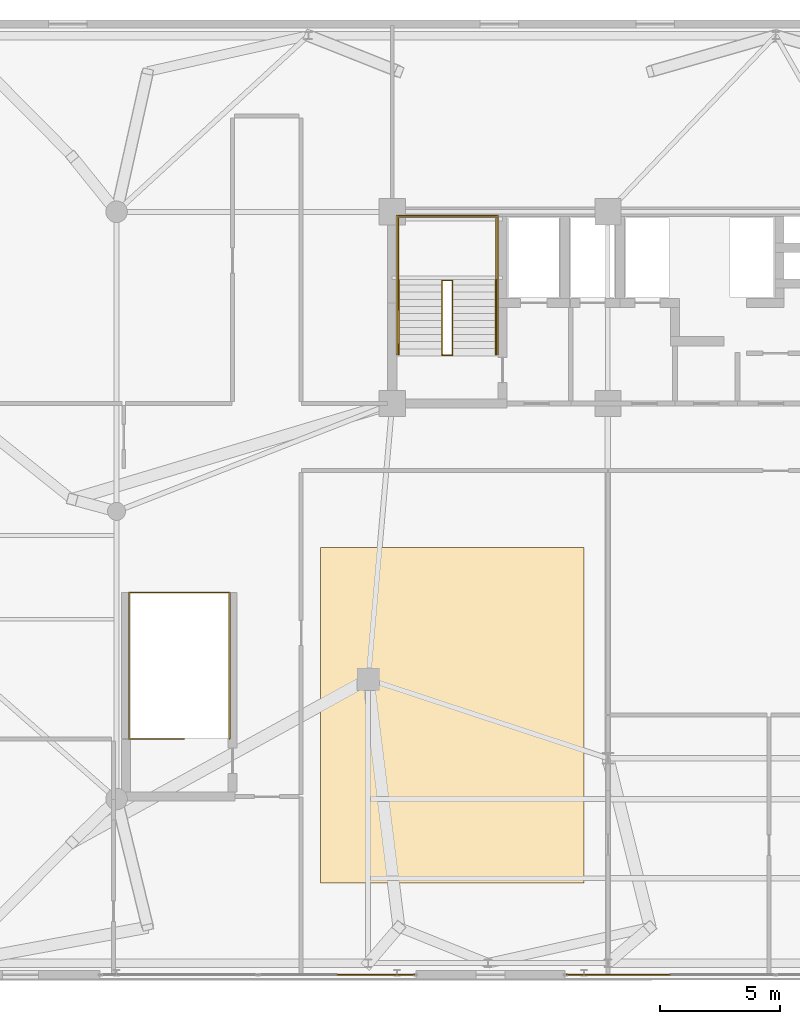
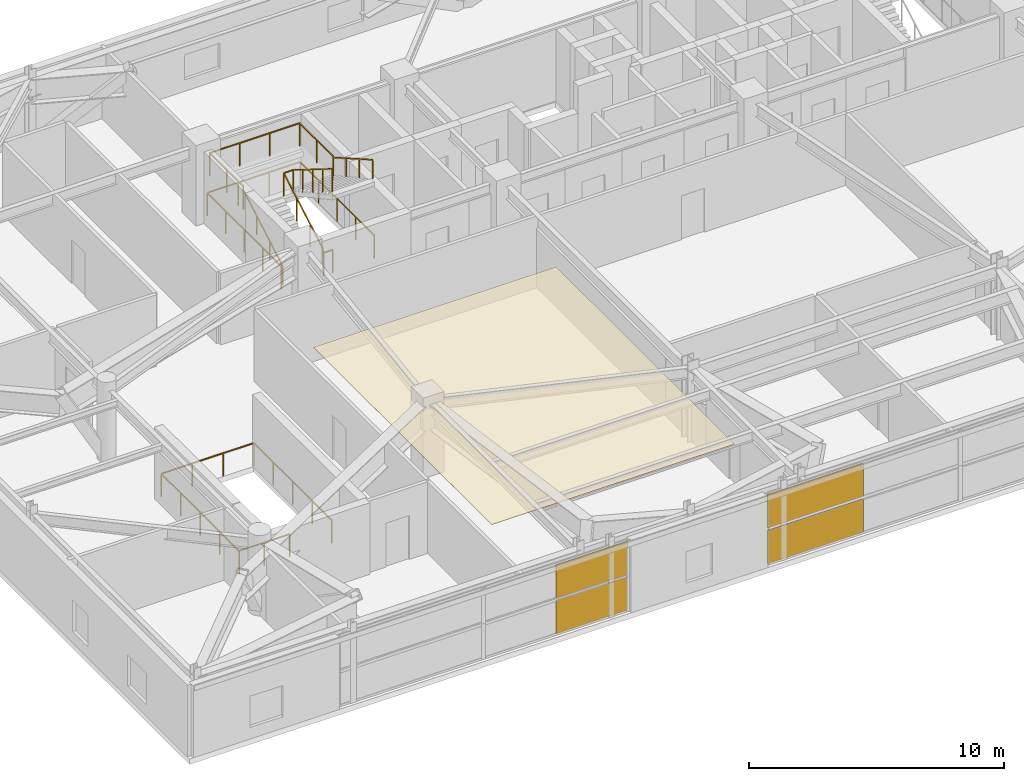
# One storey, part 25 of 27: 7 railings, 5 coverings.
"""IFC4 building model written with IfcOpenShell, lengths in metres."""

from ifc_helpers import new_model, si_unit, direction, frame, origin, origin_2d, place, context, subcontext, project, spatial, rectangle, extrude, source, transform, mapped, material, layer, layer_set, type_object, element, save


model = new_model("IFC4")

# Units and contexts
model_context = context("Model", 3, precision=1e-05, world=origin(), true_north=direction((0.0, 1.0)))
body_context = subcontext(model_context, "Body", "Model", "MODEL_VIEW")
ifc_project = project(units=[si_unit("LENGTHUNIT", "METRE"), si_unit("AREAUNIT", "SQUARE_METRE"), si_unit("VOLUMEUNIT", "CUBIC_METRE"), si_unit("PLANEANGLEUNIT", "RADIAN"), si_unit("MASSUNIT", "GRAM", prefix="KILO")], contexts=[model_context])

# Site, building, storey
site_placement = place(None, origin())
site = spatial("IfcSite", under=ifc_project, at=site_placement, CompositionType="ELEMENT")
building_placement = place(site_placement, origin())
building = spatial("IfcBuilding", under=site, at=building_placement, Name="Taldren Reach Tower", CompositionType="ELEMENT")
storey_placement = place(building_placement, frame((0.0, 0.0, 12.949951171875)))
storey = spatial("IfcBuildingStorey", under=building, at=storey_placement, Name="L03", CompositionType="ELEMENT", Elevation=12.949951171875)

# Railings
ifc_material_1 = material(Name="Steel Gr 350 (C350L0)", Category="steel")
ifc_layer_1 = layer(ifc_material_1, 0.050048828125)
ifc_layer_set_1 = layer_set([ifc_layer_1], Name="Steel Gr 350 (C350L0)")
railing_type_1 = type_object("IfcRailingType", Name="RL-STAIR-GR", PredefinedType="GUARDRAIL", material=ifc_layer_set_1)
railing_1_placement = place(storey_placement, frame((19.260009765625, 29.135009765625, 1.925048828125)))
element("IfcRailing", 1, at=railing_1_placement, inside=storey, type_object=railing_type_1, Name="Stair half-landing perimeter guard ST1-L03", PredefinedType="GUARDRAIL", context=body_context, shape_type="SweptSolid", body=[
    extrude(rectangle(XDim=0.047852, YDim=0.047852, at=origin_2d()), frame((0.0, 0.0, 1.09619140625), z_axis=(0.0, 1.0, 0.0), x_axis=(-1.0, 0.0, 0.0)), (0.0, 0.0, 1.0), 2.64501953125),
    extrude(rectangle(XDim=0.047852, YDim=0.047852, at=origin_2d()), frame((0.0, 2.64501953125, 1.09619140625), z_axis=(1.0, 0.0, 0.0), x_axis=(0.0, 1.0, 0.0)), (0.0, 0.0, 1.0), 4.080078125),
    extrude(rectangle(XDim=0.047852, YDim=0.047852, at=origin_2d()), frame((4.080078125, 2.64501953125, 1.09619140625), z_axis=(0.0, -1.0, 0.0), x_axis=(1.0, 0.0, 0.0)), (0.0, 0.0, 1.0), 2.64501953125),
    extrude(rectangle(XDim=0.041992, YDim=0.041992, at=origin_2d()), origin(), (0.0, 0.0, 1.0), 1.072021484375),
    extrude(rectangle(XDim=0.041992, YDim=0.041992, at=origin_2d()), frame((0.0, 1.322509765625, 0.0)), (0.0, 0.0, 1.0), 1.072021484375),
    extrude(rectangle(XDim=0.041992, YDim=0.041992, at=origin_2d()), frame((0.0, 2.64501953125, 0.0)), (0.0, 0.0, 1.0), 1.072021484375),
    extrude(rectangle(XDim=0.041992, YDim=0.041992, at=origin_2d()), frame((1.360107421875, 2.64501953125, 0.0)), (0.0, 0.0, 1.0), 1.072021484375),
    extrude(rectangle(XDim=0.041992, YDim=0.041992, at=origin_2d()), frame((2.719970703125, 2.64501953125, 0.0)), (0.0, 0.0, 1.0), 1.072021484375),
    extrude(rectangle(XDim=0.041992, YDim=0.041992, at=origin_2d()), frame((4.080078125, 2.64501953125, 0.0)), (0.0, 0.0, 1.0), 1.072021484375),
    extrude(rectangle(XDim=0.041992, YDim=0.041992, at=origin_2d()), frame((4.080078125, 1.322509765625, 0.0)), (0.0, 0.0, 1.0), 1.072021484375),
    extrude(rectangle(XDim=0.041992, YDim=0.041992, at=origin_2d()), frame((4.080078125, 0.0, 0.0)), (0.0, 0.0, 1.0), 1.072021484375),
])
railing_2_placement = place(storey_placement, frame((21.090087890625, 26.050048828125, 0.160400390625)))
element("IfcRailing", 2, at=railing_2_placement, inside=storey, type_object=railing_type_1, Name="Stairwell inner guard ST1-L03", PredefinedType="GUARDRAIL", context=body_context, shape_type="SweptSolid", body=[
    extrude(rectangle(XDim=0.047852, YDim=0.047852, at=origin_2d()), frame((0.0, 0.0, 1.09619140625), z_axis=(0.0, 0.868023234622, 0.496523578652), x_axis=(-1.0, 0.0, 0.0)), (0.0, 0.0, 1.0), 3.553955078125),
    extrude(rectangle(XDim=0.047852, YDim=0.047852, at=origin_2d()), frame((0.0, 3.0849609375, 2.86083984375), z_axis=(1.0, 0.0, 0.0), x_axis=(0.0, 1.0, 0.0)), (0.0, 0.0, 1.0), 0.419921875),
    extrude(rectangle(XDim=0.047852, YDim=0.047852, at=origin_2d()), frame((0.419921875, 3.0849609375, 2.86083984375), z_axis=(0.0, -0.848375277705, 0.529395304266), x_axis=(1.0, 0.0, 0.0)), (0.0, 0.0, 1.0), 3.63623046875),
    extrude(rectangle(XDim=0.041992, YDim=0.041992, at=origin_2d()), origin(), (0.0, 0.0, 1.0), 1.072021484375),
    extrude(rectangle(XDim=0.041992, YDim=0.041992, at=origin_2d()), frame((0.0, 1.0283203125, 0.588134765625)), (0.0, 0.0, 1.0), 1.072021484375),
    extrude(rectangle(XDim=0.041992, YDim=0.041992, at=origin_2d()), frame((0.0, 2.056640625, 1.176513671875)), (0.0, 0.0, 1.0), 1.072021484375),
    extrude(rectangle(XDim=0.041992, YDim=0.041992, at=origin_2d()), frame((0.0, 3.0849609375, 1.7646484375)), (0.0, 0.0, 1.0), 1.072021484375),
    extrude(rectangle(XDim=0.041992, YDim=0.041992, at=origin_2d()), frame((0.419921875, 3.0849609375, 1.7646484375)), (0.0, 0.0, 1.0), 1.072021484375),
    extrude(rectangle(XDim=0.041992, YDim=0.041992, at=origin_2d()), frame((0.419921875, 2.313720703125, 2.245849609375)), (0.0, 0.0, 1.0), 1.072021484375),
    extrude(rectangle(XDim=0.041992, YDim=0.041992, at=origin_2d()), frame((0.419921875, 1.54248046875, 2.72705078125)), (0.0, 0.0, 1.0), 1.072021484375),
    extrude(rectangle(XDim=0.041992, YDim=0.041992, at=origin_2d()), frame((0.419921875, 0.771240234375, 3.20849609375)), (0.0, 0.0, 1.0), 1.072021484375),
    extrude(rectangle(XDim=0.041992, YDim=0.041992, at=origin_2d()), frame((0.419921875, 0.0, 3.689697265625)), (0.0, 0.0, 1.0), 1.072021484375),
])
railing_3_placement = place(storey_placement, frame((21.090087890625, 26.010009765625, 0.0)))
element("IfcRailing", 3, at=railing_3_placement, inside=storey, type_object=railing_type_1, Name="Stairwell landing slot guard ST1-L03", PredefinedType="GUARDRAIL", context=body_context, shape_type="SweptSolid", body=[
    extrude(rectangle(XDim=0.047852, YDim=0.047852, at=origin_2d()), frame((0.0, 0.0, 1.09619140625), z_axis=(1.0, 0.0, 0.0), x_axis=(0.0, 1.0, 0.0)), (0.0, 0.0, 1.0), 0.419921875),
    extrude(rectangle(XDim=0.041992, YDim=0.041992, at=origin_2d()), origin(), (0.0, 0.0, 1.0), 1.072021484375),
    extrude(rectangle(XDim=0.041992, YDim=0.041992, at=origin_2d()), frame((0.419921875, 0.0, 0.0)), (0.0, 0.0, 1.0), 1.072021484375),
])
railing_4_placement = place(storey_placement, frame((19.18994140625, 26.050048828125, 0.0)))
element("IfcRailing", 4, at=railing_4_placement, inside=storey, type_object=railing_type_1, Name="Stairwell floor opening guard ST1-L03", PredefinedType="GUARDRAIL", context=body_context, shape_type="SweptSolid", body=[
    extrude(rectangle(XDim=0.047852, YDim=0.047852, at=origin_2d()), frame((0.0, 0.0, 1.09619140625), z_axis=(0.0, 1.0, 0.0), x_axis=(-1.0, 0.0, 0.0)), (0.0, 0.0, 1.0), 5.800048828125),
    extrude(rectangle(XDim=0.047852, YDim=0.047852, at=origin_2d()), frame((0.0, 5.800048828125, 1.09619140625), z_axis=(1.0, 0.0, 0.0), x_axis=(0.0, 1.0, 0.0)), (0.0, 0.0, 1.0), 4.219970703125),
    extrude(rectangle(XDim=0.047852, YDim=0.047852, at=origin_2d()), frame((4.219970703125, 5.800048828125, 1.09619140625), z_axis=(0.0, -1.0, 0.0), x_axis=(1.0, 0.0, 0.0)), (0.0, 0.0, 1.0), 5.800048828125),
    extrude(rectangle(XDim=0.041992, YDim=0.041992, at=origin_2d()), origin(), (0.0, 0.0, 1.0), 1.072021484375),
    extrude(rectangle(XDim=0.041992, YDim=0.041992, at=origin_2d()), frame((0.0, 1.449951171875, 0.0)), (0.0, 0.0, 1.0), 1.072021484375),
    extrude(rectangle(XDim=0.041992, YDim=0.041992, at=origin_2d()), frame((0.0, 2.89990234375, 0.0)), (0.0, 0.0, 1.0), 1.072021484375),
    extrude(rectangle(XDim=0.041992, YDim=0.041992, at=origin_2d()), frame((0.0, 4.35009765625, 0.0)), (0.0, 0.0, 1.0), 1.072021484375),
    extrude(rectangle(XDim=0.041992, YDim=0.041992, at=origin_2d()), frame((0.0, 5.800048828125, 0.0)), (0.0, 0.0, 1.0), 1.072021484375),
    extrude(rectangle(XDim=0.041992, YDim=0.041992, at=origin_2d()), frame((1.40673828125, 5.800048828125, 0.0)), (0.0, 0.0, 1.0), 1.072021484375),
    extrude(rectangle(XDim=0.041992, YDim=0.041992, at=origin_2d()), frame((2.813232421875, 5.800048828125, 0.0)), (0.0, 0.0, 1.0), 1.072021484375),
    extrude(rectangle(XDim=0.041992, YDim=0.041992, at=origin_2d()), frame((4.219970703125, 5.800048828125, 0.0)), (0.0, 0.0, 1.0), 1.072021484375),
    extrude(rectangle(XDim=0.041992, YDim=0.041992, at=origin_2d()), frame((4.219970703125, 4.35009765625, 0.0)), (0.0, 0.0, 1.0), 1.072021484375),
    extrude(rectangle(XDim=0.041992, YDim=0.041992, at=origin_2d()), frame((4.219970703125, 2.89990234375, 0.0)), (0.0, 0.0, 1.0), 1.072021484375),
    extrude(rectangle(XDim=0.041992, YDim=0.041992, at=origin_2d()), frame((4.219970703125, 1.449951171875, 0.0)), (0.0, 0.0, 1.0), 1.072021484375),
    extrude(rectangle(XDim=0.041992, YDim=0.041992, at=origin_2d()), frame((4.219970703125, 0.0, 0.0)), (0.0, 0.0, 1.0), 1.072021484375),
])
railing_5_placement = place(storey_placement, frame((10.320068359375, 10.010009765625, 0.0)))
element("IfcRailing", 5, at=railing_5_placement, inside=storey, type_object=railing_type_1, Name="Top-landing stairwell perimeter guardrail ST3-L03", PredefinedType="GUARDRAIL", context=body_context, shape_type="SweptSolid", body=[
    extrude(rectangle(XDim=0.047852, YDim=0.047852, at=origin_2d()), frame((0.0, 0.0, 1.09619140625), z_axis=(-1.0, 0.0, 0.0), x_axis=(0.0, -1.0, 0.0)), (0.0, 0.0, 1.0), 2.300048828125),
    extrude(rectangle(XDim=0.047852, YDim=0.047852, at=origin_2d()), frame((-2.300048828125, 0.0, 1.09619140625), z_axis=(0.0, 1.0, 0.0), x_axis=(-1.0, 0.0, 0.0)), (0.0, 0.0, 1.0), 6.10009765625),
    extrude(rectangle(XDim=0.047852, YDim=0.047852, at=origin_2d()), frame((-2.300048828125, 6.10009765625, 1.09619140625), z_axis=(1.0, 0.0, 0.0), x_axis=(0.0, 1.0, 0.0)), (0.0, 0.0, 1.0), 4.199951171875),
    extrude(rectangle(XDim=0.047852, YDim=0.047852, at=origin_2d()), frame((1.89990234375, 6.10009765625, 1.09619140625), z_axis=(0.0, -1.0, 0.0), x_axis=(1.0, 0.0, 0.0)), (0.0, 0.0, 1.0), 6.10009765625),
    extrude(rectangle(XDim=0.041992, YDim=0.041992, at=origin_2d()), origin(), (0.0, 0.0, 1.0), 1.072021484375),
    extrude(rectangle(XDim=0.041992, YDim=0.041992, at=origin_2d()), frame((-1.14990234375, 0.0, 0.0)), (0.0, 0.0, 1.0), 1.072021484375),
    extrude(rectangle(XDim=0.041992, YDim=0.041992, at=origin_2d()), frame((-2.300048828125, 0.0, 0.0)), (0.0, 0.0, 1.0), 1.072021484375),
    extrude(rectangle(XDim=0.041992, YDim=0.041992, at=origin_2d()), frame((-2.300048828125, 1.52490234375, 0.0)), (0.0, 0.0, 1.0), 1.072021484375),
    extrude(rectangle(XDim=0.041992, YDim=0.041992, at=origin_2d()), frame((-2.300048828125, 3.050048828125, 0.0)), (0.0, 0.0, 1.0), 1.072021484375),
    extrude(rectangle(XDim=0.041992, YDim=0.041992, at=origin_2d()), frame((-2.300048828125, 4.5751953125, 0.0)), (0.0, 0.0, 1.0), 1.072021484375),
    extrude(rectangle(XDim=0.041992, YDim=0.041992, at=origin_2d()), frame((-2.300048828125, 6.10009765625, 0.0)), (0.0, 0.0, 1.0), 1.072021484375),
    extrude(rectangle(XDim=0.041992, YDim=0.041992, at=origin_2d()), frame((-0.900146484375, 6.10009765625, 0.0)), (0.0, 0.0, 1.0), 1.072021484375),
    extrude(rectangle(XDim=0.041992, YDim=0.041992, at=origin_2d()), frame((0.5, 6.10009765625, 0.0)), (0.0, 0.0, 1.0), 1.072021484375),
    extrude(rectangle(XDim=0.041992, YDim=0.041992, at=origin_2d()), frame((1.89990234375, 6.10009765625, 0.0)), (0.0, 0.0, 1.0), 1.072021484375),
    extrude(rectangle(XDim=0.041992, YDim=0.041992, at=origin_2d()), frame((1.89990234375, 4.5751953125, 0.0)), (0.0, 0.0, 1.0), 1.072021484375),
    extrude(rectangle(XDim=0.041992, YDim=0.041992, at=origin_2d()), frame((1.89990234375, 3.050048828125, 0.0)), (0.0, 0.0, 1.0), 1.072021484375),
    extrude(rectangle(XDim=0.041992, YDim=0.041992, at=origin_2d()), frame((1.89990234375, 1.52490234375, 0.0)), (0.0, 0.0, 1.0), 1.072021484375),
    extrude(rectangle(XDim=0.041992, YDim=0.041992, at=origin_2d()), frame((1.89990234375, 0.0, 0.0)), (0.0, 0.0, 1.0), 1.072021484375),
])
ifc_material_2 = material(Name="Stainless Steel Gr 316", Category="steel")
ifc_layer_2 = layer(ifc_material_2, 0.048095703125)
ifc_layer_set_2 = layer_set([ifc_layer_2], Name="Stainless Steel Gr 316")
railing_type_2 = type_object("IfcRailingType", Name="RL-STAIR-HR", PredefinedType="HANDRAIL", material=ifc_layer_set_2)
railing_6_placement = place(storey_placement, frame((19.27001953125, 26.050048828125, 0.160400390625)))
element("IfcRailing", 6, at=railing_6_placement, inside=storey, type_object=railing_type_2, Name="Stair flight handrail ST1-L03-1", PredefinedType="HANDRAIL", context=body_context, shape_type="SweptSolid", body=[
    extrude(rectangle(XDim=0.047852, YDim=0.047852, at=origin_2d()), frame((0.0, 0.0, 0.89599609375), z_axis=(0.0, 0.868023234622, 0.496523578652), x_axis=(-1.0, 0.0, 0.0)), (0.0, 0.0, 1.0), 3.553955078125),
    extrude(rectangle(XDim=0.041992, YDim=0.041992, at=origin_2d()), origin(), (0.0, 0.0, 1.0), 0.871826171875),
    extrude(rectangle(XDim=0.041992, YDim=0.041992, at=origin_2d()), frame((0.0, 1.0283203125, 0.588134765625)), (0.0, 0.0, 1.0), 0.871826171875),
    extrude(rectangle(XDim=0.041992, YDim=0.041992, at=origin_2d()), frame((0.0, 2.056640625, 1.176513671875)), (0.0, 0.0, 1.0), 0.871826171875),
    extrude(rectangle(XDim=0.041992, YDim=0.041992, at=origin_2d()), frame((0.0, 3.0849609375, 1.7646484375)), (0.0, 0.0, 1.0), 0.871826171875),
])
railing_7_placement = place(storey_placement, frame((23.330078125, 29.135009765625, 2.08544921875)))
element("IfcRailing", 7, at=railing_7_placement, inside=storey, type_object=railing_type_2, Name="Stair flight handrail ST1-L03-2", PredefinedType="HANDRAIL", context=body_context, shape_type="SweptSolid", body=[
    extrude(rectangle(XDim=0.047852, YDim=0.047852, at=origin_2d()), frame((0.0, 0.0, 0.89599609375), z_axis=(0.0, -0.868023234622, 0.496523578652), x_axis=(1.0, 0.0, 0.0)), (0.0, 0.0, 1.0), 3.553955078125),
    extrude(rectangle(XDim=0.041992, YDim=0.041992, at=origin_2d()), origin(), (0.0, 0.0, 1.0), 0.871826171875),
    extrude(rectangle(XDim=0.041992, YDim=0.041992, at=origin_2d()), frame((0.0, -1.0283203125, 0.588134765625)), (0.0, 0.0, 1.0), 0.871826171875),
    extrude(rectangle(XDim=0.041992, YDim=0.041992, at=origin_2d()), frame((0.0, -2.056640625, 1.176513671875)), (0.0, 0.0, 1.0), 0.871826171875),
    extrude(rectangle(XDim=0.041992, YDim=0.041992, at=origin_2d()), frame((0.0, -3.0849609375, 1.7646484375)), (0.0, 0.0, 1.0), 0.871826171875),
])

# Coverings
ifc_material_3 = material(Name="Perforated Acoustic Mineral-Fibre Ceiling Tile")
ifc_layer_3 = layer(ifc_material_3, 0.02490234375)
ifc_layer_set_3 = layer_set([ifc_layer_3], Name="Perforated Acoustic Mineral-Fibre Ceiling Tile")
covering_type_1 = type_object("IfcCoveringType", Name="CV-CEIL-025", PredefinedType="CEILING", material=ifc_layer_set_3)
shared_shape_1 = source(origin(), body_context, "Body", "SweptSolid", [
    extrude(rectangle(XDim=11.0, YDim=14.0, at=origin_2d()), origin(), (0.0, 0.0, 1.0), 0.02490234375),
])
covering_placement = place(storey_placement, frame((21.5, 11.0, 3.1875), z_axis=(0.0, 0.0, 1.0), x_axis=(1.0, 0.0, 0.0)))
element("IfcCovering", 8, at=covering_placement, inside=storey, type_object=covering_type_1, Name="Suspended acoustic ceiling L03-06", PredefinedType="CEILING", context=body_context, shape_type="MappedRepresentation", body=[
    mapped(shared_shape_1, transform((0.0, 0.0, 0.0), scale=1.0)),
])
ifc_material_4 = material(Name="Pale Champagne Fluoropolymer Aluminium Spandrel Cladding", Category="aluminium")
ifc_layer_4 = layer(ifc_material_4, 0.0439453125)
ifc_layer_set_4 = layer_set([ifc_layer_4], Name="Pale Champagne Fluoropolymer Aluminium Spandrel Cladding")
covering_type_2 = type_object("IfcCoveringType", Name="CV-CLAD-044", PredefinedType="CLADDING", material=ifc_layer_set_4)
shared_shape_2 = source(origin(), body_context, "Body", "SweptSolid", [
    extrude(rectangle(XDim=3.24755859375, YDim=0.0439453125, at=origin_2d()), origin(), (0.0, 0.0, 1.0), 1.594970703125),
])
for number, where, z_axis, x_axis, name in (
    (9, (18.30615234375, 0.169921875, 0.06005859375), (0.0, 0.0, 1.0), (1.0, 0.0, 0.0), "Diagrid closure cladding strip CW-1 panel 2.1 1"),
    (10, (18.30615234375, 0.169921875, 1.77490234375), (0.0, 0.0, 1.0), (1.0, 0.0, 0.0), "Diagrid closure cladding strip CW-1 panel 2.1 1"),
):
    element("IfcCovering", number, at=place(storey_placement, frame(where, z_axis=z_axis, x_axis=x_axis)), inside=storey, type_object=covering_type_2, Name=name, PredefinedType="CLADDING", context=body_context, shape_type="MappedRepresentation", body=[
        mapped(shared_shape_2, transform((0.0, 0.0, 0.0), scale=1.0)),
    ])
shared_shape_3 = source(origin(), body_context, "Body", "SweptSolid", [
    extrude(rectangle(XDim=4.347412109375, YDim=0.0439453125, at=origin_2d()), origin(), (0.0, 0.0, 1.0), 1.594970703125),
])
for number, where, z_axis, x_axis, name in (
    (11, (28.44384765625, 0.169921875, 0.06005859375), (0.0, 0.0, 1.0), (1.0, 0.0, 0.0), "Diagrid closure cladding strip CW-1 panel 1.1 1"),
    (12, (28.44384765625, 0.169921875, 1.77490234375), (0.0, 0.0, 1.0), (1.0, 0.0, 0.0), "Diagrid closure cladding strip CW-1 panel 1.1 1"),
):
    element("IfcCovering", number, at=place(storey_placement, frame(where, z_axis=z_axis, x_axis=x_axis)), inside=storey, type_object=covering_type_2, Name=name, PredefinedType="CLADDING", context=body_context, shape_type="MappedRepresentation", body=[
        mapped(shared_shape_3, transform((0.0, 0.0, 0.0), scale=1.0)),
    ])

save(model, "model.ifc")
